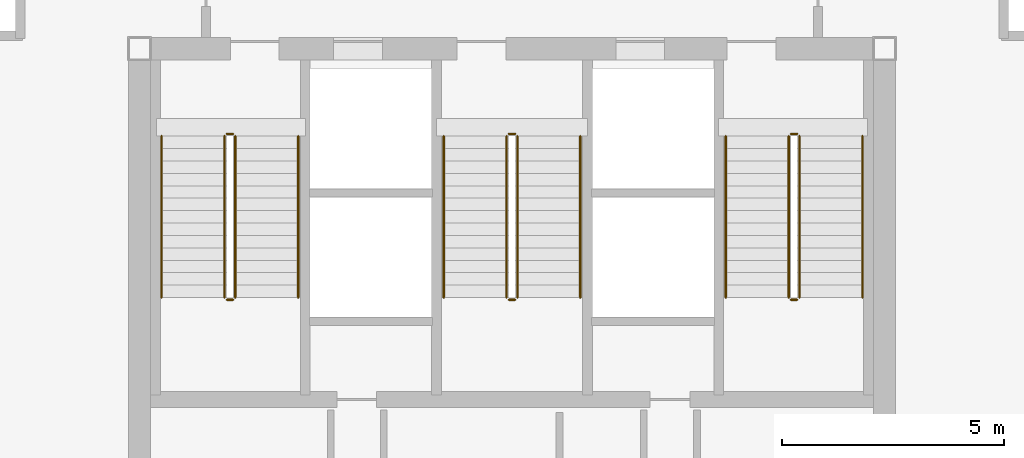
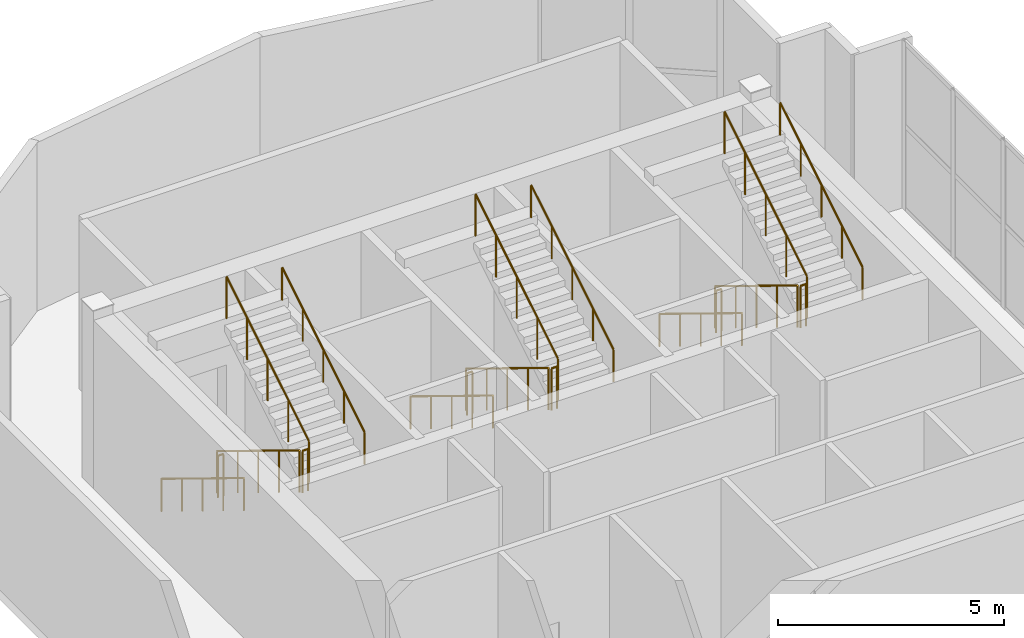
# One storey, part 9 of 9: 18 railings.
"""IFC4 building model written with IfcOpenShell, lengths in metres."""

from ifc_helpers import new_model, si_unit, direction, frame, origin, origin_2d, place, context, subcontext, project, spatial, circle, extrude, material, type_object, element, save


model = new_model("IFC4")

# Units and contexts
model_context = context("Model", 3, precision=1e-05, world=origin(), true_north=direction((0.0, 1.0)))
body_context = subcontext(model_context, "Body", "Model", "MODEL_VIEW")
ifc_project = project(units=[si_unit("LENGTHUNIT", "METRE"), si_unit("AREAUNIT", "SQUARE_METRE"), si_unit("VOLUMEUNIT", "CUBIC_METRE"), si_unit("PLANEANGLEUNIT", "RADIAN"), si_unit("MASSUNIT", "GRAM", prefix="KILO")], contexts=[model_context])

# Site, building, storey
site_placement = place(None, origin())
site = spatial("IfcSite", under=ifc_project, at=site_placement, CompositionType="ELEMENT")
building_placement = place(site_placement, origin())
building = spatial("IfcBuilding", under=site, at=building_placement, Name="Haolan Belvedere Tower", CompositionType="ELEMENT")
storey_placement = place(building_placement, frame((0.0, 0.0, 328.199951171875)))
storey = spatial("IfcBuildingStorey", under=building, at=storey_placement, Name="L82", CompositionType="ELEMENT", Elevation=328.199951171875)

# Railings
ifc_material = material(Name="Brushed stainless steel 304", Category="steel")
railing_type_1 = type_object("IfcRailingType", Name="RL-STAIR-GRD-1150", PredefinedType="GUARDRAIL", material=ifc_material)
railing_1_placement = place(storey_placement, frame((31.919921875, 41.22998046875, 0.17138671875)))
element("IfcRailing", 1, at=railing_1_placement, inside=storey, type_object=railing_type_1, Name="L82 ST1 stair guard 1", PredefinedType="GUARDRAIL", context=body_context, shape_type="SweptSolid", body=[
    extrude(circle(Radius=0.02392578125, at=origin_2d()), frame((0.0, 0.0, 1.1259765625), z_axis=(0.0, -0.852824790078, 0.522197163366), x_axis=(1.0, 0.0, 0.0)), (0.0, 0.0, 1.0), 4.26806640625),
    extrude(circle(Radius=0.02099609375, at=origin_2d()), origin(), (0.0, 0.0, 1.0), 1.101806640625),
    extrude(circle(Radius=0.02099609375, at=origin_2d()), frame((0.0, -0.909912109375, 0.55712890625)), (0.0, 0.0, 1.0), 1.101806640625),
    extrude(circle(Radius=0.02099609375, at=origin_2d()), frame((0.0, -1.81982421875, 1.1142578125)), (0.0, 0.0, 1.0), 1.101806640625),
    extrude(circle(Radius=0.02099609375, at=origin_2d()), frame((0.0, -2.72998046875, 1.671630859375)), (0.0, 0.0, 1.0), 1.101806640625),
    extrude(circle(Radius=0.02099609375, at=origin_2d()), frame((0.0, -3.639892578125, 2.228759765625)), (0.0, 0.0, 1.0), 1.101806640625),
])
railing_2_placement = place(storey_placement, frame((31.969970703125, 37.5400390625, 2.400146484375)))
element("IfcRailing", 2, at=railing_2_placement, inside=storey, type_object=railing_type_1, Name="L82 ST1 stair guard 2", PredefinedType="GUARDRAIL", context=body_context, shape_type="SweptSolid", body=[
    extrude(circle(Radius=0.02392578125, at=origin_2d()), frame((0.0, 0.0, 1.1259765625), z_axis=(1.0, 0.0, 0.0), x_axis=(0.0, 1.0, 0.0)), (0.0, 0.0, 1.0), 0.14013671875),
    extrude(circle(Radius=0.02099609375, at=origin_2d()), origin(), (0.0, 0.0, 1.0), 1.101806640625),
    extrude(circle(Radius=0.02099609375, at=origin_2d()), frame((0.14013671875, 0.0, 0.0)), (0.0, 0.0, 1.0), 1.101806640625),
])
railing_3_placement = place(storey_placement, frame((32.159912109375, 37.590087890625, 2.571533203125)))
element("IfcRailing", 3, at=railing_3_placement, inside=storey, type_object=railing_type_1, Name="L82 ST1 stair guard 3", PredefinedType="GUARDRAIL", context=body_context, shape_type="SweptSolid", body=[
    extrude(circle(Radius=0.02392578125, at=origin_2d()), frame((0.0, 0.0, 1.1259765625), z_axis=(0.0, 0.852850264322, 0.5221555579), x_axis=(-1.0, 0.0, 0.0)), (0.0, 0.0, 1.0), 4.267822265625),
    extrude(circle(Radius=0.02099609375, at=origin_2d()), origin(), (0.0, 0.0, 1.0), 1.101806640625),
    extrude(circle(Radius=0.02099609375, at=origin_2d()), frame((0.0, 0.909912109375, 0.55712890625)), (0.0, 0.0, 1.0), 1.101806640625),
    extrude(circle(Radius=0.02099609375, at=origin_2d()), frame((0.0, 1.81982421875, 1.1142578125)), (0.0, 0.0, 1.0), 1.101806640625),
    extrude(circle(Radius=0.02099609375, at=origin_2d()), frame((0.0, 2.72998046875, 1.67138671875)), (0.0, 0.0, 1.0), 1.101806640625),
    extrude(circle(Radius=0.02099609375, at=origin_2d()), frame((0.0, 3.639892578125, 2.228515625)), (0.0, 0.0, 1.0), 1.101806640625),
])
railing_4_placement = place(storey_placement, frame((31.969970703125, 41.280029296875, 0.0)))
element("IfcRailing", 4, at=railing_4_placement, inside=storey, type_object=railing_type_1, Name="L82 ST1 stair guard 4", PredefinedType="GUARDRAIL", context=body_context, shape_type="SweptSolid", body=[
    extrude(circle(Radius=0.02392578125, at=origin_2d()), frame((0.0, 0.0, 1.1259765625), z_axis=(1.0, 0.0, 0.0), x_axis=(0.0, 1.0, 0.0)), (0.0, 0.0, 1.0), 0.14013671875),
    extrude(circle(Radius=0.02099609375, at=origin_2d()), origin(), (0.0, 0.0, 1.0), 1.101806640625),
    extrude(circle(Radius=0.02099609375, at=origin_2d()), frame((0.14013671875, 0.0, 0.0)), (0.0, 0.0, 1.0), 1.101806640625),
])
railing_5_placement = place(storey_placement, frame((38.280029296875, 41.22998046875, 0.17138671875)))
element("IfcRailing", 5, at=railing_5_placement, inside=storey, type_object=railing_type_1, Name="L82 ST3 stair guard 1", PredefinedType="GUARDRAIL", context=body_context, shape_type="SweptSolid", body=[
    extrude(circle(Radius=0.02392578125, at=origin_2d()), frame((0.0, 0.0, 1.1259765625), z_axis=(0.0, -0.852824790078, 0.522197163366), x_axis=(1.0, 0.0, 0.0)), (0.0, 0.0, 1.0), 4.26806640625),
    extrude(circle(Radius=0.02099609375, at=origin_2d()), origin(), (0.0, 0.0, 1.0), 1.101806640625),
    extrude(circle(Radius=0.02099609375, at=origin_2d()), frame((0.0, -0.909912109375, 0.55712890625)), (0.0, 0.0, 1.0), 1.101806640625),
    extrude(circle(Radius=0.02099609375, at=origin_2d()), frame((0.0, -1.81982421875, 1.1142578125)), (0.0, 0.0, 1.0), 1.101806640625),
    extrude(circle(Radius=0.02099609375, at=origin_2d()), frame((0.0, -2.72998046875, 1.671630859375)), (0.0, 0.0, 1.0), 1.101806640625),
    extrude(circle(Radius=0.02099609375, at=origin_2d()), frame((0.0, -3.639892578125, 2.228759765625)), (0.0, 0.0, 1.0), 1.101806640625),
])
railing_6_placement = place(storey_placement, frame((38.330078125, 37.5400390625, 2.400146484375)))
element("IfcRailing", 6, at=railing_6_placement, inside=storey, type_object=railing_type_1, Name="L82 ST3 stair guard 2", PredefinedType="GUARDRAIL", context=body_context, shape_type="SweptSolid", body=[
    extrude(circle(Radius=0.02392578125, at=origin_2d()), frame((0.0, 0.0, 1.1259765625), z_axis=(1.0, 0.0, 0.0), x_axis=(0.0, 1.0, 0.0)), (0.0, 0.0, 1.0), 0.139892578125),
    extrude(circle(Radius=0.02099609375, at=origin_2d()), origin(), (0.0, 0.0, 1.0), 1.101806640625),
    extrude(circle(Radius=0.02099609375, at=origin_2d()), frame((0.139892578125, 0.0, 0.0)), (0.0, 0.0, 1.0), 1.101806640625),
])
railing_7_placement = place(storey_placement, frame((38.52001953125, 37.590087890625, 2.571533203125)))
element("IfcRailing", 7, at=railing_7_placement, inside=storey, type_object=railing_type_1, Name="L82 ST3 stair guard 3", PredefinedType="GUARDRAIL", context=body_context, shape_type="SweptSolid", body=[
    extrude(circle(Radius=0.02392578125, at=origin_2d()), frame((0.0, 0.0, 1.1259765625), z_axis=(0.0, 0.852850264322, 0.5221555579), x_axis=(-1.0, 0.0, 0.0)), (0.0, 0.0, 1.0), 4.267822265625),
    extrude(circle(Radius=0.02099609375, at=origin_2d()), origin(), (0.0, 0.0, 1.0), 1.101806640625),
    extrude(circle(Radius=0.02099609375, at=origin_2d()), frame((0.0, 0.909912109375, 0.55712890625)), (0.0, 0.0, 1.0), 1.101806640625),
    extrude(circle(Radius=0.02099609375, at=origin_2d()), frame((0.0, 1.81982421875, 1.1142578125)), (0.0, 0.0, 1.0), 1.101806640625),
    extrude(circle(Radius=0.02099609375, at=origin_2d()), frame((0.0, 2.72998046875, 1.67138671875)), (0.0, 0.0, 1.0), 1.101806640625),
    extrude(circle(Radius=0.02099609375, at=origin_2d()), frame((0.0, 3.639892578125, 2.228515625)), (0.0, 0.0, 1.0), 1.101806640625),
])
railing_8_placement = place(storey_placement, frame((38.330078125, 41.280029296875, 0.0)))
element("IfcRailing", 8, at=railing_8_placement, inside=storey, type_object=railing_type_1, Name="L82 ST3 stair guard 4", PredefinedType="GUARDRAIL", context=body_context, shape_type="SweptSolid", body=[
    extrude(circle(Radius=0.02392578125, at=origin_2d()), frame((0.0, 0.0, 1.1259765625), z_axis=(1.0, 0.0, 0.0), x_axis=(0.0, 1.0, 0.0)), (0.0, 0.0, 1.0), 0.139892578125),
    extrude(circle(Radius=0.02099609375, at=origin_2d()), origin(), (0.0, 0.0, 1.0), 1.101806640625),
    extrude(circle(Radius=0.02099609375, at=origin_2d()), frame((0.139892578125, 0.0, 0.0)), (0.0, 0.0, 1.0), 1.101806640625),
])
railing_9_placement = place(storey_placement, frame((44.639892578125, 41.22998046875, 0.17138671875)))
element("IfcRailing", 9, at=railing_9_placement, inside=storey, type_object=railing_type_1, Name="L82 ST2 stair guard 1", PredefinedType="GUARDRAIL", context=body_context, shape_type="SweptSolid", body=[
    extrude(circle(Radius=0.02392578125, at=origin_2d()), frame((0.0, 0.0, 1.1259765625), z_axis=(0.0, -0.852824790078, 0.522197163366), x_axis=(1.0, 0.0, 0.0)), (0.0, 0.0, 1.0), 4.26806640625),
    extrude(circle(Radius=0.02099609375, at=origin_2d()), origin(), (0.0, 0.0, 1.0), 1.101806640625),
    extrude(circle(Radius=0.02099609375, at=origin_2d()), frame((0.0, -0.909912109375, 0.55712890625)), (0.0, 0.0, 1.0), 1.101806640625),
    extrude(circle(Radius=0.02099609375, at=origin_2d()), frame((0.0, -1.81982421875, 1.1142578125)), (0.0, 0.0, 1.0), 1.101806640625),
    extrude(circle(Radius=0.02099609375, at=origin_2d()), frame((0.0, -2.72998046875, 1.671630859375)), (0.0, 0.0, 1.0), 1.101806640625),
    extrude(circle(Radius=0.02099609375, at=origin_2d()), frame((0.0, -3.639892578125, 2.228759765625)), (0.0, 0.0, 1.0), 1.101806640625),
])
railing_10_placement = place(storey_placement, frame((44.68994140625, 37.5400390625, 2.400146484375)))
element("IfcRailing", 10, at=railing_10_placement, inside=storey, type_object=railing_type_1, Name="L82 ST2 stair guard 2", PredefinedType="GUARDRAIL", context=body_context, shape_type="SweptSolid", body=[
    extrude(circle(Radius=0.02392578125, at=origin_2d()), frame((0.0, 0.0, 1.1259765625), z_axis=(1.0, 0.0, 0.0), x_axis=(0.0, 1.0, 0.0)), (0.0, 0.0, 1.0), 0.14013671875),
    extrude(circle(Radius=0.02099609375, at=origin_2d()), origin(), (0.0, 0.0, 1.0), 1.101806640625),
    extrude(circle(Radius=0.02099609375, at=origin_2d()), frame((0.14013671875, 0.0, 0.0)), (0.0, 0.0, 1.0), 1.101806640625),
])
railing_11_placement = place(storey_placement, frame((44.8798828125, 37.590087890625, 2.571533203125)))
element("IfcRailing", 11, at=railing_11_placement, inside=storey, type_object=railing_type_1, Name="L82 ST2 stair guard 3", PredefinedType="GUARDRAIL", context=body_context, shape_type="SweptSolid", body=[
    extrude(circle(Radius=0.02392578125, at=origin_2d()), frame((0.0, 0.0, 1.1259765625), z_axis=(0.0, 0.852850264322, 0.5221555579), x_axis=(-1.0, 0.0, 0.0)), (0.0, 0.0, 1.0), 4.267822265625),
    extrude(circle(Radius=0.02099609375, at=origin_2d()), origin(), (0.0, 0.0, 1.0), 1.101806640625),
    extrude(circle(Radius=0.02099609375, at=origin_2d()), frame((0.0, 0.909912109375, 0.55712890625)), (0.0, 0.0, 1.0), 1.101806640625),
    extrude(circle(Radius=0.02099609375, at=origin_2d()), frame((0.0, 1.81982421875, 1.1142578125)), (0.0, 0.0, 1.0), 1.101806640625),
    extrude(circle(Radius=0.02099609375, at=origin_2d()), frame((0.0, 2.72998046875, 1.67138671875)), (0.0, 0.0, 1.0), 1.101806640625),
    extrude(circle(Radius=0.02099609375, at=origin_2d()), frame((0.0, 3.639892578125, 2.228515625)), (0.0, 0.0, 1.0), 1.101806640625),
])
railing_12_placement = place(storey_placement, frame((44.68994140625, 41.280029296875, 0.0)))
element("IfcRailing", 12, at=railing_12_placement, inside=storey, type_object=railing_type_1, Name="L82 ST2 stair guard 4", PredefinedType="GUARDRAIL", context=body_context, shape_type="SweptSolid", body=[
    extrude(circle(Radius=0.02392578125, at=origin_2d()), frame((0.0, 0.0, 1.1259765625), z_axis=(1.0, 0.0, 0.0), x_axis=(0.0, 1.0, 0.0)), (0.0, 0.0, 1.0), 0.14013671875),
    extrude(circle(Radius=0.02099609375, at=origin_2d()), origin(), (0.0, 0.0, 1.0), 1.101806640625),
    extrude(circle(Radius=0.02099609375, at=origin_2d()), frame((0.14013671875, 0.0, 0.0)), (0.0, 0.0, 1.0), 1.101806640625),
])
railing_type_2 = type_object("IfcRailingType", Name="RL-STAIR-HND-900", PredefinedType="HANDRAIL", material=ifc_material)
railing_13_placement = place(storey_placement, frame((30.5, 41.22998046875, 0.17138671875)))
element("IfcRailing", 13, at=railing_13_placement, inside=storey, type_object=railing_type_2, Name="L82 ST1 stair handrail 1", PredefinedType="HANDRAIL", context=body_context, shape_type="SweptSolid", body=[
    extrude(circle(Radius=0.02392578125, at=origin_2d()), frame((0.0, 0.0, 0.8759765625), z_axis=(0.0, -0.852824790078, 0.522197163366), x_axis=(1.0, 0.0, 0.0)), (0.0, 0.0, 1.0), 4.26806640625),
    extrude(circle(Radius=0.02099609375, at=origin_2d()), origin(), (0.0, 0.0, 1.0), 0.851806640625),
    extrude(circle(Radius=0.02099609375, at=origin_2d()), frame((0.0, -0.909912109375, 0.55712890625)), (0.0, 0.0, 1.0), 0.851806640625),
    extrude(circle(Radius=0.02099609375, at=origin_2d()), frame((0.0, -1.81982421875, 1.1142578125)), (0.0, 0.0, 1.0), 0.851806640625),
    extrude(circle(Radius=0.02099609375, at=origin_2d()), frame((0.0, -2.72998046875, 1.671630859375)), (0.0, 0.0, 1.0), 0.851806640625),
    extrude(circle(Radius=0.02099609375, at=origin_2d()), frame((0.0, -3.639892578125, 2.228759765625)), (0.0, 0.0, 1.0), 0.851806640625),
])
railing_14_placement = place(storey_placement, frame((33.580078125, 37.590087890625, 2.571533203125)))
element("IfcRailing", 14, at=railing_14_placement, inside=storey, type_object=railing_type_2, Name="L82 ST1 stair handrail 2", PredefinedType="HANDRAIL", context=body_context, shape_type="SweptSolid", body=[
    extrude(circle(Radius=0.02392578125, at=origin_2d()), frame((0.0, 0.0, 0.8759765625), z_axis=(0.0, 0.852850264322, 0.5221555579), x_axis=(-1.0, 0.0, 0.0)), (0.0, 0.0, 1.0), 4.267822265625),
    extrude(circle(Radius=0.02099609375, at=origin_2d()), origin(), (0.0, 0.0, 1.0), 0.851806640625),
    extrude(circle(Radius=0.02099609375, at=origin_2d()), frame((0.0, 0.909912109375, 0.55712890625)), (0.0, 0.0, 1.0), 0.851806640625),
    extrude(circle(Radius=0.02099609375, at=origin_2d()), frame((0.0, 1.81982421875, 1.1142578125)), (0.0, 0.0, 1.0), 0.851806640625),
    extrude(circle(Radius=0.02099609375, at=origin_2d()), frame((0.0, 2.72998046875, 1.67138671875)), (0.0, 0.0, 1.0), 0.851806640625),
    extrude(circle(Radius=0.02099609375, at=origin_2d()), frame((0.0, 3.639892578125, 2.228515625)), (0.0, 0.0, 1.0), 0.851806640625),
])
railing_15_placement = place(storey_placement, frame((36.860107421875, 41.22998046875, 0.17138671875)))
element("IfcRailing", 15, at=railing_15_placement, inside=storey, type_object=railing_type_2, Name="L82 ST3 stair handrail 1", PredefinedType="HANDRAIL", context=body_context, shape_type="SweptSolid", body=[
    extrude(circle(Radius=0.02392578125, at=origin_2d()), frame((0.0, 0.0, 0.8759765625), z_axis=(0.0, -0.852824790078, 0.522197163366), x_axis=(1.0, 0.0, 0.0)), (0.0, 0.0, 1.0), 4.26806640625),
    extrude(circle(Radius=0.02099609375, at=origin_2d()), origin(), (0.0, 0.0, 1.0), 0.851806640625),
    extrude(circle(Radius=0.02099609375, at=origin_2d()), frame((0.0, -0.909912109375, 0.55712890625)), (0.0, 0.0, 1.0), 0.851806640625),
    extrude(circle(Radius=0.02099609375, at=origin_2d()), frame((0.0, -1.81982421875, 1.1142578125)), (0.0, 0.0, 1.0), 0.851806640625),
    extrude(circle(Radius=0.02099609375, at=origin_2d()), frame((0.0, -2.72998046875, 1.671630859375)), (0.0, 0.0, 1.0), 0.851806640625),
    extrude(circle(Radius=0.02099609375, at=origin_2d()), frame((0.0, -3.639892578125, 2.228759765625)), (0.0, 0.0, 1.0), 0.851806640625),
])
railing_16_placement = place(storey_placement, frame((39.93994140625, 37.590087890625, 2.571533203125)))
element("IfcRailing", 16, at=railing_16_placement, inside=storey, type_object=railing_type_2, Name="L82 ST3 stair handrail 2", PredefinedType="HANDRAIL", context=body_context, shape_type="SweptSolid", body=[
    extrude(circle(Radius=0.02392578125, at=origin_2d()), frame((0.0, 0.0, 0.8759765625), z_axis=(0.0, 0.852850264322, 0.5221555579), x_axis=(-1.0, 0.0, 0.0)), (0.0, 0.0, 1.0), 4.267822265625),
    extrude(circle(Radius=0.02099609375, at=origin_2d()), origin(), (0.0, 0.0, 1.0), 0.851806640625),
    extrude(circle(Radius=0.02099609375, at=origin_2d()), frame((0.0, 0.909912109375, 0.55712890625)), (0.0, 0.0, 1.0), 0.851806640625),
    extrude(circle(Radius=0.02099609375, at=origin_2d()), frame((0.0, 1.81982421875, 1.1142578125)), (0.0, 0.0, 1.0), 0.851806640625),
    extrude(circle(Radius=0.02099609375, at=origin_2d()), frame((0.0, 2.72998046875, 1.67138671875)), (0.0, 0.0, 1.0), 0.851806640625),
    extrude(circle(Radius=0.02099609375, at=origin_2d()), frame((0.0, 3.639892578125, 2.228515625)), (0.0, 0.0, 1.0), 0.851806640625),
])
railing_17_placement = place(storey_placement, frame((43.219970703125, 41.22998046875, 0.17138671875)))
element("IfcRailing", 17, at=railing_17_placement, inside=storey, type_object=railing_type_2, Name="L82 ST2 stair handrail 1", PredefinedType="HANDRAIL", context=body_context, shape_type="SweptSolid", body=[
    extrude(circle(Radius=0.02392578125, at=origin_2d()), frame((0.0, 0.0, 0.8759765625), z_axis=(0.0, -0.852824790078, 0.522197163366), x_axis=(1.0, 0.0, 0.0)), (0.0, 0.0, 1.0), 4.26806640625),
    extrude(circle(Radius=0.02099609375, at=origin_2d()), origin(), (0.0, 0.0, 1.0), 0.851806640625),
    extrude(circle(Radius=0.02099609375, at=origin_2d()), frame((0.0, -0.909912109375, 0.55712890625)), (0.0, 0.0, 1.0), 0.851806640625),
    extrude(circle(Radius=0.02099609375, at=origin_2d()), frame((0.0, -1.81982421875, 1.1142578125)), (0.0, 0.0, 1.0), 0.851806640625),
    extrude(circle(Radius=0.02099609375, at=origin_2d()), frame((0.0, -2.72998046875, 1.671630859375)), (0.0, 0.0, 1.0), 0.851806640625),
    extrude(circle(Radius=0.02099609375, at=origin_2d()), frame((0.0, -3.639892578125, 2.228759765625)), (0.0, 0.0, 1.0), 0.851806640625),
])
railing_18_placement = place(storey_placement, frame((46.300048828125, 37.590087890625, 2.571533203125)))
element("IfcRailing", 18, at=railing_18_placement, inside=storey, type_object=railing_type_2, Name="L82 ST2 stair handrail 2", PredefinedType="HANDRAIL", context=body_context, shape_type="SweptSolid", body=[
    extrude(circle(Radius=0.02392578125, at=origin_2d()), frame((0.0, 0.0, 0.8759765625), z_axis=(0.0, 0.852850264322, 0.5221555579), x_axis=(-1.0, 0.0, 0.0)), (0.0, 0.0, 1.0), 4.267822265625),
    extrude(circle(Radius=0.02099609375, at=origin_2d()), origin(), (0.0, 0.0, 1.0), 0.851806640625),
    extrude(circle(Radius=0.02099609375, at=origin_2d()), frame((0.0, 0.909912109375, 0.55712890625)), (0.0, 0.0, 1.0), 0.851806640625),
    extrude(circle(Radius=0.02099609375, at=origin_2d()), frame((0.0, 1.81982421875, 1.1142578125)), (0.0, 0.0, 1.0), 0.851806640625),
    extrude(circle(Radius=0.02099609375, at=origin_2d()), frame((0.0, 2.72998046875, 1.67138671875)), (0.0, 0.0, 1.0), 0.851806640625),
    extrude(circle(Radius=0.02099609375, at=origin_2d()), frame((0.0, 3.639892578125, 2.228515625)), (0.0, 0.0, 1.0), 0.851806640625),
])

save(model, "model.ifc")
